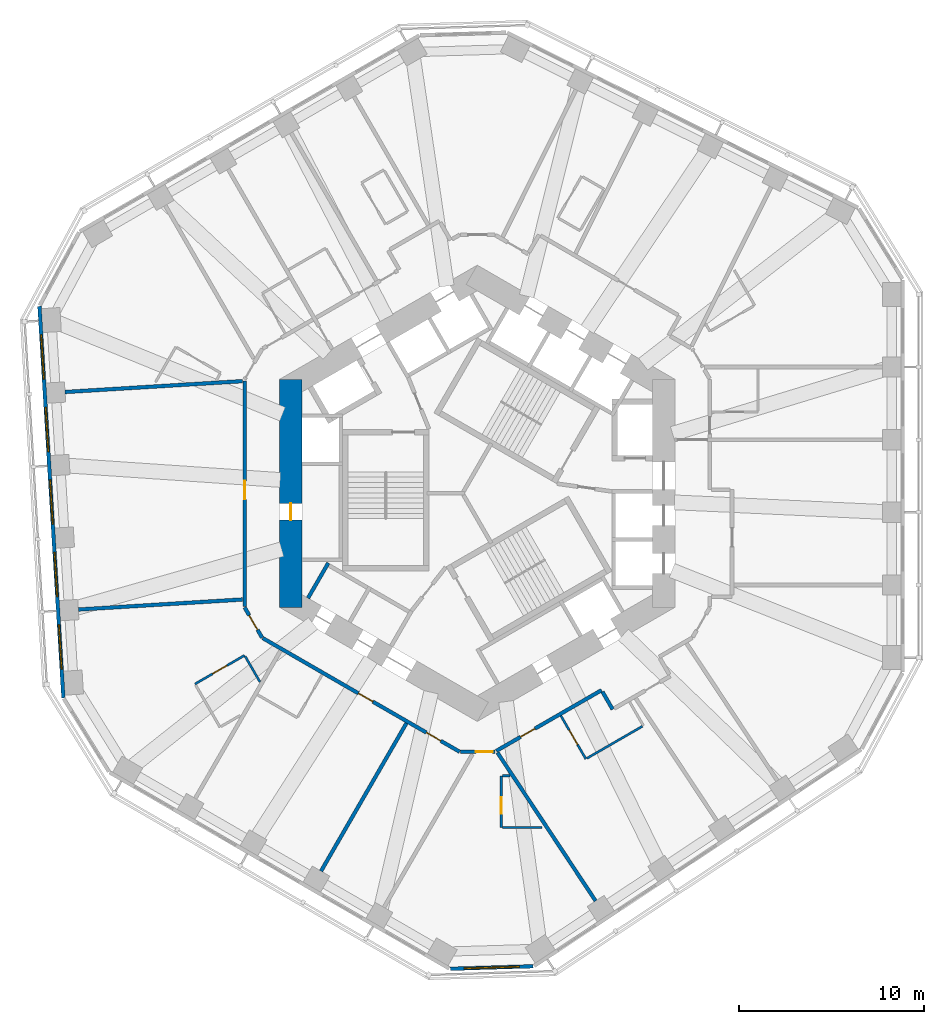
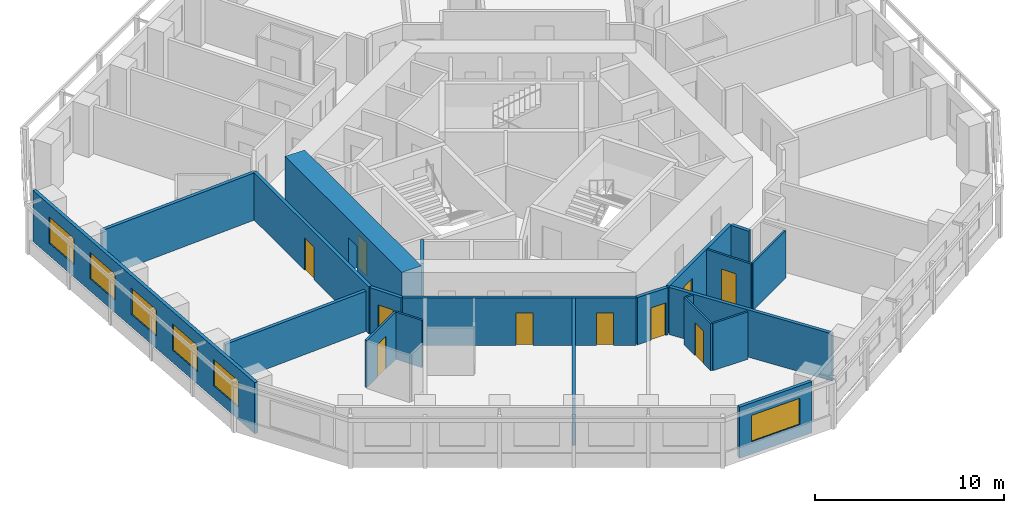
# One storey, part 4 of 12: 21 walls, 10 doors, 6 windows, 16 openings.
"""IFC4 building model written with IfcOpenShell, lengths in metres."""

from ifc_helpers import new_model, si_unit, direction, frame, frame_2d, origin, place, context, subcontext, project, spatial, rectangle, extrude, material, layer, layer_set, type_object, element, fill, save


model = new_model("IFC4")

# Units and contexts
model_context = context("Model", 3, precision=1e-05, world=origin(), true_north=direction((0.0, 1.0)))
body_context = subcontext(model_context, "Body", "Model", "MODEL_VIEW")
ifc_project = project(units=[si_unit("LENGTHUNIT", "METRE"), si_unit("AREAUNIT", "SQUARE_METRE"), si_unit("VOLUMEUNIT", "CUBIC_METRE"), si_unit("PLANEANGLEUNIT", "RADIAN"), si_unit("MASSUNIT", "GRAM", prefix="KILO")], contexts=[model_context])

# Site, building, storey
site_placement = place(None, origin())
site = spatial("IfcSite", under=ifc_project, at=site_placement, CompositionType="ELEMENT")
building_placement = place(site_placement, origin())
building = spatial("IfcBuilding", under=site, at=building_placement, Name="Vanh Sen Convention Tower", CompositionType="ELEMENT")
storey_placement = place(building_placement, frame((0.0, 0.0, 106.699951171875)))
storey = spatial("IfcBuildingStorey", under=building, at=storey_placement, Name="L25", CompositionType="ELEMENT", Elevation=106.699951171875)

# Wall, opening, door
ifc_material_1 = material(Name="Moisture-resistant gypsum board on steel studs", Category="steel")
ifc_layer_1 = layer(ifc_material_1, 0.1201171875)
ifc_layer_set_1 = layer_set([ifc_layer_1], Name="Moisture-resistant gypsum board on steel studs")
wall_type_1 = type_object("IfcWallType", Name="Bathroom partition 120", PredefinedType="PARTITIONING", material=ifc_layer_set_1)
wall_1_placement = place(storey_placement, frame((-15.285400390625, -10.326171875, 0.0), z_axis=(0.0, 0.0, 1.0), x_axis=(0.86600983753, 0.500026960575, 0.0)))
wall_1 = element("IfcWall", 1, at=wall_1_placement, inside=storey, type_object=wall_type_1, Name="Bathroom partition 120", PredefinedType="PARTITIONING", context=body_context, shape_type="SweptSolid", body=[
    extrude(rectangle(XDim=3.099853515625, YDim=0.1201171875, at=frame_2d((1.5498046875, 0.0))), origin(), (0.0, 0.0, 1.0), 3.050048828125),
])
opening_1_placement = place(wall_1_placement, frame((1.10009765625, 0.0, 0.0)))
opening_1 = element("IfcOpeningElement", 2, at=opening_1_placement, cuts=wall_1, Name="Opening D25120", PredefinedType="OPENING", context=body_context, shape_type="SweptSolid", body=[
    extrude(rectangle(XDim=0.89990234375, YDim=2.10009765625, at=frame_2d((0.449951171875, 1.050048828125))), frame((0.0, 0.070068359375, 0.0), z_axis=(0.0, -1.0, 0.0), x_axis=(1.0, 0.0, 0.0)), (0.0, 0.0, 1.0), 0.14013671875),
])
ifc_material_2 = material(Name="Laminate door in steel frame", Category="steel")
door_type_1 = type_object("IfcDoorType", Name="En-suite door 900", OperationType="SINGLE_SWING_LEFT", PredefinedType="DOOR", material=ifc_material_2)
door_1_placement = place(opening_1_placement, origin())
door_1 = element("IfcDoor", 3, at=door_1_placement, inside=storey, type_object=door_type_1, Name="En-suite door D25120", OperationType="SINGLE_SWING_LEFT", OverallHeight=2.10009765625, OverallWidth=0.89990234375, PredefinedType="DOOR", context=body_context, shape_type="SweptSolid", body=[
    extrude(rectangle(XDim=0.89990234375, YDim=2.10009765625, at=frame_2d((0.449951171875, 1.050048828125))), frame((0.0, 0.02490234375, 0.0), z_axis=(0.0, -1.0, 0.0), x_axis=(1.0, 0.0, 0.0)), (0.0, 0.0, 1.0), 0.050048828125),
])
fill(opening_1, door_1)

# Wall
wall_2_placement = place(storey_placement, frame((-12.57080078125, -8.828125, 0.0), z_axis=(0.0, 0.0, 1.0), x_axis=(0.499960029081, -0.866048479775, 0.0)))
element("IfcWall", 4, at=wall_2_placement, inside=storey, type_object=wall_type_1, Name="Bathroom partition 120", PredefinedType="PARTITIONING", context=body_context, shape_type="SweptSolid", body=[
    extrude(rectangle(XDim=1.601318359375, YDim=0.1201171875, at=frame_2d((0.80078125, 0.0))), origin(), (0.0, 0.0, 1.0), 3.050048828125),
])

# Wall, opening, door
wall_3_placement = place(storey_placement, frame((1.300048828125, -18.1005859375, 0.0), z_axis=(0.0, 0.0, 1.0), x_axis=(0.0, 1.0, 0.0)))
wall_3 = element("IfcWall", 5, at=wall_3_placement, inside=storey, type_object=wall_type_1, Name="Bathroom partition 120", PredefinedType="PARTITIONING", context=body_context, shape_type="SweptSolid", body=[
    extrude(rectangle(XDim=2.7998046875, YDim=0.1201171875, at=frame_2d((1.39990234375, 0.0))), origin(), (0.0, 0.0, 1.0), 3.050048828125),
])
opening_2_placement = place(wall_3_placement, frame((0.75, 0.0, 0.0)))
opening_2 = element("IfcOpeningElement", 6, at=opening_2_placement, cuts=wall_3, Name="Opening D25125", PredefinedType="OPENING", context=body_context, shape_type="SweptSolid", body=[
    extrude(rectangle(XDim=0.89990234375, YDim=2.10009765625, at=frame_2d((0.449951171875, 1.050048828125))), frame((0.0, 0.070068359375, 0.0), z_axis=(0.0, -1.0, 0.0), x_axis=(1.0, 0.0, 0.0)), (0.0, 0.0, 1.0), 0.14013671875),
])
door_2_placement = place(opening_2_placement, origin())
door_2 = element("IfcDoor", 7, at=door_2_placement, inside=storey, type_object=door_type_1, Name="En-suite door D25125", OperationType="SINGLE_SWING_LEFT", OverallHeight=2.10009765625, OverallWidth=0.89990234375, PredefinedType="DOOR", context=body_context, shape_type="SweptSolid", body=[
    extrude(rectangle(XDim=0.89990234375, YDim=2.10009765625, at=frame_2d((0.449951171875, 1.050048828125))), frame((0.0, 0.02490234375, 0.0), z_axis=(0.0, -1.0, 0.0), x_axis=(1.0, 0.0, 0.0)), (0.0, 0.0, 1.0), 0.050048828125),
])
fill(opening_2, door_2)

# Walls
wall_4_placement = place(storey_placement, frame((1.360107421875, -15.30078125, 0.0), z_axis=(0.0, 0.0, 1.0), x_axis=(1.0, 0.0, 0.0)))
element("IfcWall", 8, at=wall_4_placement, inside=storey, type_object=wall_type_1, Name="Bathroom partition 120", PredefinedType="PARTITIONING", context=body_context, shape_type="SweptSolid", body=[
    extrude(rectangle(XDim=0.415771484375, YDim=0.1201171875, at=frame_2d((0.2080078125, 0.0))), origin(), (0.0, 0.0, 1.0), 3.050048828125),
])
wall_5_placement = place(storey_placement, frame((3.5, -18.1005859375, 0.0), z_axis=(0.0, 0.0, 1.0), x_axis=(-1.0, 0.0, 0.0)))
element("IfcWall", 9, at=wall_5_placement, inside=storey, type_object=wall_type_1, Name="Bathroom partition 120", PredefinedType="PARTITIONING", context=body_context, shape_type="SweptSolid", body=[
    extrude(rectangle(XDim=2.139892578125, YDim=0.1201171875, at=frame_2d((1.06982421875, 0.0))), origin(), (0.0, 0.0, 1.0), 3.050048828125),
])

# Wall, opening, door
wall_6_placement = place(storey_placement, frame((5.880615234375, -14.38720703125, 0.0), z_axis=(0.0, 0.0, 1.0), x_axis=(-0.500048589285, 0.86599734893, 0.0)))
wall_6 = element("IfcWall", 10, at=wall_6_placement, inside=storey, type_object=wall_type_1, Name="Bathroom partition 120", PredefinedType="PARTITIONING", context=body_context, shape_type="SweptSolid", body=[
    extrude(rectangle(XDim=2.699951171875, YDim=0.1201171875, at=frame_2d((1.35009765625, 0.0))), origin(), (0.0, 0.0, 1.0), 3.050048828125),
])
opening_3_placement = place(wall_6_placement, frame((0.89990234375, 0.0, 0.0)))
opening_3 = element("IfcOpeningElement", 11, at=opening_3_placement, cuts=wall_6, Name="Opening D25127", PredefinedType="OPENING", context=body_context, shape_type="SweptSolid", body=[
    extrude(rectangle(XDim=0.89990234375, YDim=2.10009765625, at=frame_2d((0.449951171875, 1.050048828125))), frame((0.0, 0.070068359375, 0.0), z_axis=(0.0, -1.0, 0.0), x_axis=(1.0, 0.0, 0.0)), (0.0, 0.0, 1.0), 0.14013671875),
])
door_3_placement = place(opening_3_placement, origin())
door_3 = element("IfcDoor", 12, at=door_3_placement, inside=storey, type_object=door_type_1, Name="En-suite door D25127", OperationType="SINGLE_SWING_LEFT", OverallHeight=2.10009765625, OverallWidth=0.89990234375, PredefinedType="DOOR", context=body_context, shape_type="SweptSolid", body=[
    extrude(rectangle(XDim=0.89990234375, YDim=2.10009765625, at=frame_2d((0.449951171875, 1.050048828125))), frame((0.0, 0.02490234375, 0.0), z_axis=(0.0, -1.0, 0.0), x_axis=(1.0, 0.0, 0.0)), (0.0, 0.0, 1.0), 0.050048828125),
])
fill(opening_3, door_3)

# Wall
wall_7_placement = place(storey_placement, frame((8.9462890625, -12.6171875, 0.0), z_axis=(0.0, 0.0, 1.0), x_axis=(-0.865989304205, -0.500062521093, 0.0)))
element("IfcWall", 13, at=wall_7_placement, inside=storey, type_object=wall_type_1, Name="Bathroom partition 120", PredefinedType="PARTITIONING", context=body_context, shape_type="SweptSolid", body=[
    extrude(rectangle(XDim=3.47998046875, YDim=0.1201171875, at=frame_2d((1.739990234375, 0.0))), origin(), (0.0, 0.0, 1.0), 3.050048828125),
])

# Wall, opening, door
ifc_material_3 = material(Name="Concrete C80/95", Category="concrete")
ifc_layer_2 = layer(ifc_material_3, 1.199951171875)
ifc_layer_set_2 = layer_set([ifc_layer_2], Name="Concrete C80/95")
wall_type_2 = type_object("IfcWallType", Name="Core outer wall 1200 C80/95", PredefinedType="SHEAR", material=ifc_layer_set_2)
wall_8_placement = place(storey_placement, frame((-10.10009765625, 6.177490234375, 0.0), z_axis=(0.0, 0.0, 1.0), x_axis=(0.0, -1.0, 0.0)))
wall_8 = element("IfcWall", 14, at=wall_8_placement, inside=storey, type_object=wall_type_2, Name="Core wall face W L25", PredefinedType="SHEAR", context=body_context, shape_type="SweptSolid", body=[
    extrude(rectangle(XDim=12.35498046875, YDim=1.199951171875, at=frame_2d((6.177490234375, 0.0))), origin(), (0.0, 0.0, 1.0), 3.300048828125),
])
opening_4_placement = place(wall_8_placement, frame((6.7275390625, 0.0, 0.0)))
opening_4 = element("IfcOpeningElement", 15, at=opening_4_placement, cuts=wall_8, Name="Opening D25010", PredefinedType="OPENING", context=body_context, shape_type="SweptSolid", body=[
    extrude(rectangle(XDim=0.89990234375, YDim=2.10009765625, at=frame_2d((0.449951171875, 1.050048828125))), frame((0.0, 0.60986328125, 0.0), z_axis=(0.0, -1.0, 0.0), x_axis=(1.0, 0.0, 0.0)), (0.0, 0.0, 1.0), 1.219970703125),
])
ifc_material_4 = material(Name="Steel S355", Category="steel")
door_type_2 = type_object("IfcDoorType", Name="Plant door 900", OperationType="SINGLE_SWING_LEFT", PredefinedType="DOOR", material=ifc_material_4)
door_4_placement = place(opening_4_placement, origin())
door_4 = element("IfcDoor", 16, at=door_4_placement, inside=storey, type_object=door_type_2, Name="Plant door D25010", OperationType="SINGLE_SWING_LEFT", OverallHeight=2.10009765625, OverallWidth=0.89990234375, PredefinedType="DOOR", context=body_context, shape_type="SweptSolid", body=[
    extrude(rectangle(XDim=0.89990234375, YDim=2.10009765625, at=frame_2d((0.449951171875, 1.050048828125))), frame((0.0, 0.02490234375, 0.0), z_axis=(0.0, -1.0, 0.0), x_axis=(1.0, 0.0, 0.0)), (0.0, 0.0, 1.0), 0.050048828125),
])
fill(opening_4, door_4)

ifc_material_5 = material(Name="Gypsum board on steel studs with mineral wool", Category="steel")
ifc_layer_3 = layer(ifc_material_5, 0.199951171875)
ifc_layer_set_3 = layer_set([ifc_layer_3], Name="Gypsum board on steel studs with mineral wool")
wall_type_3 = type_object("IfcWallType", Name="Corridor partition wall 200", PredefinedType="PARTITIONING", material=ifc_layer_set_3)
wall_9_placement = place(storey_placement, frame((-12.60009765625, -6.177490234375, 0.0), z_axis=(0.0, 0.0, 1.0), x_axis=(0.500063520245, -0.865988727248, 0.0)))
wall_9 = element("IfcWall", 17, at=wall_9_placement, inside=storey, type_object=wall_type_3, Name="Corridor partition wall 200", PredefinedType="PARTITIONING", context=body_context, shape_type="SweptSolid", body=[
    extrude(rectangle(XDim=1.900146484375, YDim=0.199951171875, at=frame_2d((0.9501953125, 0.0))), origin(), (0.0, 0.0, 1.0), 3.050048828125),
])
opening_5_placement = place(wall_9_placement, frame((0.5, 0.0, 0.0)))
opening_5 = element("IfcOpeningElement", 18, at=opening_5_placement, cuts=wall_9, Name="Opening D25119", PredefinedType="OPENING", context=body_context, shape_type="SweptSolid", body=[
    extrude(rectangle(XDim=0.89990234375, YDim=2.10009765625, at=frame_2d((0.449951171875, 1.050048828125))), frame((0.0, 0.10986328125, 0.0), z_axis=(0.0, -1.0, 0.0), x_axis=(1.0, 0.0, 0.0)), (0.0, 0.0, 1.0), 0.219970703125),
])
ifc_material_6 = material(Name="Timber fire door in steel frame", Category="steel")
door_type_3 = type_object("IfcDoorType", Name="Guest room door 900", OperationType="SINGLE_SWING_LEFT", PredefinedType="DOOR", material=ifc_material_6)
door_5_placement = place(opening_5_placement, origin())
door_5 = element("IfcDoor", 19, at=door_5_placement, inside=storey, type_object=door_type_3, Name="Hotel guest room door D25119", OperationType="SINGLE_SWING_LEFT", OverallHeight=2.10009765625, OverallWidth=0.89990234375, PredefinedType="DOOR", context=body_context, shape_type="SweptSolid", body=[
    extrude(rectangle(XDim=0.89990234375, YDim=2.10009765625, at=frame_2d((0.449951171875, 1.050048828125))), frame((0.0, 0.02490234375, 0.0), z_axis=(0.0, -1.0, 0.0), x_axis=(1.0, 0.0, 0.0)), (0.0, 0.0, 1.0), 0.050048828125),
])
fill(opening_5, door_5)

wall_10_placement = place(storey_placement, frame((-12.60009765625, 6.081298828125, 0.0), z_axis=(0.0, 0.0, 1.0), x_axis=(0.0, -1.0, 0.0)))
wall_10 = element("IfcWall", 20, at=wall_10_placement, inside=storey, type_object=wall_type_3, Name="Corridor partition wall 200", PredefinedType="PARTITIONING", context=body_context, shape_type="SweptSolid", body=[
    extrude(rectangle(XDim=12.218994140625, YDim=0.199951171875, at=frame_2d((6.109375, 0.0))), origin(), (0.0, 0.0, 1.0), 3.050048828125),
])
opening_6_placement = place(wall_10_placement, frame((5.412841796875, 0.0, 0.0)))
opening_6 = element("IfcOpeningElement", 21, at=opening_6_placement, cuts=wall_10, Name="Opening D25118", PredefinedType="OPENING", context=body_context, shape_type="SweptSolid", body=[
    extrude(rectangle(XDim=1.0, YDim=2.10009765625, at=frame_2d((0.5, 1.050048828125))), frame((0.0, 0.10986328125, 0.0), z_axis=(0.0, -1.0, 0.0), x_axis=(1.0, 0.0, 0.0)), (0.0, 0.0, 1.0), 0.219970703125),
])
door_type_4 = type_object("IfcDoorType", Name="Floor room door 1000", OperationType="SINGLE_SWING_LEFT", PredefinedType="DOOR", material=ifc_material_6)
door_6_placement = place(opening_6_placement, origin())
door_6 = element("IfcDoor", 22, at=door_6_placement, inside=storey, type_object=door_type_4, Name="Meeting and amenity room door D25118", OperationType="SINGLE_SWING_LEFT", OverallHeight=2.10009765625, OverallWidth=1.0, PredefinedType="DOOR", context=body_context, shape_type="SweptSolid", body=[
    extrude(rectangle(XDim=1.0, YDim=2.10009765625, at=frame_2d((0.5, 1.050048828125))), frame((0.0, 0.02490234375, 0.0), z_axis=(0.0, -1.0, 0.0), x_axis=(1.0, 0.0, 0.0)), (0.0, 0.0, 1.0), 0.050048828125),
])
fill(opening_6, door_6)

# Wall, openings, doors
wall_11_placement = place(storey_placement, frame((-11.615478515625, -7.843017578125, 0.0), z_axis=(0.0, 0.0, 1.0), x_axis=(0.866026466995, -0.499998158461, 0.0)))
wall_11 = element("IfcWall", 23, at=wall_11_placement, inside=storey, type_object=wall_type_3, Name="Corridor partition wall 200", PredefinedType="PARTITIONING", context=body_context, shape_type="SweptSolid", body=[
    extrude(rectangle(XDim=12.3154296875, YDim=0.199951171875, at=frame_2d((6.15771484375, 0.0))), origin(), (0.0, 0.0, 1.0), 3.050048828125),
])
opening_7_placement = place(wall_11_placement, frame((5.982666015625, 0.0, 0.0)))
opening_7 = element("IfcOpeningElement", 24, at=opening_7_placement, cuts=wall_11, Name="Opening D25121", PredefinedType="OPENING", context=body_context, shape_type="SweptSolid", body=[
    extrude(rectangle(XDim=0.89990234375, YDim=2.10009765625, at=frame_2d((0.449951171875, 1.050048828125))), frame((0.0, 0.10986328125, 0.0), z_axis=(0.0, -1.0, 0.0), x_axis=(1.0, 0.0, 0.0)), (0.0, 0.0, 1.0), 0.219970703125),
])
opening_8_placement = place(wall_11_placement, frame((10.228759765625, 0.0, 0.0)))
opening_8 = element("IfcOpeningElement", 25, at=opening_8_placement, cuts=wall_11, Name="Opening D25123", PredefinedType="OPENING", context=body_context, shape_type="SweptSolid", body=[
    extrude(rectangle(XDim=0.89990234375, YDim=2.10009765625, at=frame_2d((0.449951171875, 1.050048828125))), frame((0.0, 0.10986328125, 0.0), z_axis=(0.0, -1.0, 0.0), x_axis=(1.0, 0.0, 0.0)), (0.0, 0.0, 1.0), 0.219970703125),
])
door_type_5 = type_object("IfcDoorType", Name="Floor service door 900", OperationType="SINGLE_SWING_LEFT", PredefinedType="DOOR", material=ifc_material_6)
door_7_placement = place(opening_8_placement, origin())
door_7 = element("IfcDoor", 26, at=door_7_placement, inside=storey, type_object=door_type_5, Name="Service room door D25123", OperationType="SINGLE_SWING_LEFT", OverallHeight=2.10009765625, OverallWidth=0.89990234375, PredefinedType="DOOR", context=body_context, shape_type="SweptSolid", body=[
    extrude(rectangle(XDim=0.89990234375, YDim=2.10009765625, at=frame_2d((0.449951171875, 1.050048828125))), frame((0.0, 0.02490234375, 0.0), z_axis=(0.0, -1.0, 0.0), x_axis=(1.0, 0.0, 0.0)), (0.0, 0.0, 1.0), 0.050048828125),
])
fill(opening_8, door_7)
door_8_placement = place(opening_7_placement, origin())
door_8 = element("IfcDoor", 27, at=door_8_placement, inside=storey, type_object=door_type_3, Name="Hotel guest room door D25121", OperationType="SINGLE_SWING_LEFT", OverallHeight=2.10009765625, OverallWidth=0.89990234375, PredefinedType="DOOR", context=body_context, shape_type="SweptSolid", body=[
    extrude(rectangle(XDim=0.89990234375, YDim=2.10009765625, at=frame_2d((0.449951171875, 1.050048828125))), frame((0.0, 0.02490234375, 0.0), z_axis=(0.0, -1.0, 0.0), x_axis=(1.0, 0.0, 0.0)), (0.0, 0.0, 1.0), 0.050048828125),
])
fill(opening_7, door_8)

# Wall, opening, door
wall_12_placement = place(storey_placement, frame((-0.909912109375, -14.000732421875, 0.0), z_axis=(0.0, 0.0, 1.0), x_axis=(1.0, 0.0, 0.0)))
wall_12 = element("IfcWall", 28, at=wall_12_placement, inside=storey, type_object=wall_type_3, Name="Corridor partition wall 200", PredefinedType="PARTITIONING", context=body_context, shape_type="SweptSolid", body=[
    extrude(rectangle(XDim=1.85986328125, YDim=0.199951171875, at=frame_2d((0.929931640625, 0.0))), origin(), (0.0, 0.0, 1.0), 3.050048828125),
])
opening_9_placement = place(wall_12_placement, frame((0.841796875, 0.0, 0.0)))
opening_9 = element("IfcOpeningElement", 29, at=opening_9_placement, cuts=wall_12, Name="Opening D25124", PredefinedType="OPENING", context=body_context, shape_type="SweptSolid", body=[
    extrude(rectangle(XDim=0.89990234375, YDim=2.10009765625, at=frame_2d((0.449951171875, 1.050048828125))), frame((0.0, 0.10986328125, 0.0), z_axis=(0.0, -1.0, 0.0), x_axis=(1.0, 0.0, 0.0)), (0.0, 0.0, 1.0), 0.219970703125),
])
door_9_placement = place(opening_9_placement, origin())
door_9 = element("IfcDoor", 30, at=door_9_placement, inside=storey, type_object=door_type_3, Name="Hotel guest room door D25124", OperationType="SINGLE_SWING_LEFT", OverallHeight=2.10009765625, OverallWidth=0.89990234375, PredefinedType="DOOR", context=body_context, shape_type="SweptSolid", body=[
    extrude(rectangle(XDim=0.89990234375, YDim=2.10009765625, at=frame_2d((0.449951171875, 1.050048828125))), frame((0.0, 0.02490234375, 0.0), z_axis=(0.0, -1.0, 0.0), x_axis=(1.0, 0.0, 0.0)), (0.0, 0.0, 1.0), 0.050048828125),
])
fill(opening_9, door_9)

wall_13_placement = place(storey_placement, frame((1.033447265625, -13.95263671875, 0.0), z_axis=(0.0, 0.0, 1.0), x_axis=(0.866017531406, 0.500013635111, 0.0)))
wall_13 = element("IfcWall", 31, at=wall_13_placement, inside=storey, type_object=wall_type_3, Name="Corridor partition wall 200", PredefinedType="PARTITIONING", context=body_context, shape_type="SweptSolid", body=[
    extrude(rectangle(XDim=6.580322265625, YDim=0.199951171875, at=frame_2d((3.2900390625, 0.0))), origin(), (0.0, 0.0, 1.0), 3.050048828125),
])
opening_10_placement = place(wall_13_placement, frame((1.51513671875, 0.0, 0.0)))
opening_10 = element("IfcOpeningElement", 32, at=opening_10_placement, cuts=wall_13, Name="Opening D25126", PredefinedType="OPENING", context=body_context, shape_type="SweptSolid", body=[
    extrude(rectangle(XDim=0.89990234375, YDim=2.10009765625, at=frame_2d((0.449951171875, 1.050048828125))), frame((0.0, 0.10986328125, 0.0), z_axis=(0.0, -1.0, 0.0), x_axis=(1.0, 0.0, 0.0)), (0.0, 0.0, 1.0), 0.219970703125),
])
door_10_placement = place(opening_10_placement, origin())
door_10 = element("IfcDoor", 33, at=door_10_placement, inside=storey, type_object=door_type_3, Name="Hotel guest room door D25126", OperationType="SINGLE_SWING_LEFT", OverallHeight=2.10009765625, OverallWidth=0.89990234375, PredefinedType="DOOR", context=body_context, shape_type="SweptSolid", body=[
    extrude(rectangle(XDim=0.89990234375, YDim=2.10009765625, at=frame_2d((0.449951171875, 1.050048828125))), frame((0.0, 0.02490234375, 0.0), z_axis=(0.0, -1.0, 0.0), x_axis=(1.0, 0.0, 0.0)), (0.0, 0.0, 1.0), 0.050048828125),
])
fill(opening_10, door_10)

# Wall
wall_14_placement = place(storey_placement, frame((6.781982421875, -10.7490234375, 0.0), z_axis=(0.0, 0.0, 1.0), x_axis=(0.500074377092, -0.865982457891, 0.0)))
element("IfcWall", 34, at=wall_14_placement, inside=storey, type_object=wall_type_3, Name="Corridor partition wall 200", PredefinedType="PARTITIONING", context=body_context, shape_type="SweptSolid", body=[
    extrude(rectangle(XDim=1.100830078125, YDim=0.199951171875, at=frame_2d((0.55029296875, 0.0))), origin(), (0.0, 0.0, 1.0), 3.050048828125),
])

# Wall, openings, windows
ifc_material_7 = material(Name="Insulated lightweight infill wall")
ifc_layer_4 = layer(ifc_material_7, 0.199951171875)
ifc_layer_set_4 = layer_set([ifc_layer_4], Name="Insulated lightweight infill wall")
wall_type_4 = type_object("IfcWallType", Name="External wall 200", PredefinedType="STANDARD", material=ifc_layer_set_4)
wall_15_placement = place(storey_placement, frame((-23.712646484375, 10.130859375, 0.0), z_axis=(0.0, 0.0, 1.0), x_axis=(0.061040439785, -0.998135293791, 0.0)))
wall_15 = element("IfcWall", 35, at=wall_15_placement, inside=storey, type_object=wall_type_4, Name="External wall W L25", PredefinedType="STANDARD", context=body_context, shape_type="SweptSolid", body=[
    extrude(rectangle(XDim=21.24609375, YDim=0.199951171875, at=frame_2d((10.623046875, 0.0))), origin(), (0.0, 0.0, 1.0), 3.300048828125),
])
opening_11_placement = place(wall_15_placement, frame((1.552978515625, 0.0, 0.800048828125)))
opening_11 = element("IfcOpeningElement", 36, at=opening_11_placement, cuts=wall_15, Name="Opening WH1-W1", PredefinedType="OPENING", context=body_context, shape_type="SweptSolid", body=[
    extrude(rectangle(XDim=2.39990234375, YDim=1.699951171875, at=frame_2d((1.199951171875, 0.85009765625))), frame((0.0, 0.10986328125, 0.0), z_axis=(0.0, -1.0, 0.0), x_axis=(1.0, 0.0, 0.0)), (0.0, 0.0, 1.0), 0.219970703125),
])
opening_12_placement = place(wall_15_placement, frame((5.48779296875, 0.0, 0.800048828125)))
opening_12 = element("IfcOpeningElement", 37, at=opening_12_placement, cuts=wall_15, Name="Opening WH1-W2", PredefinedType="OPENING", context=body_context, shape_type="SweptSolid", body=[
    extrude(rectangle(XDim=2.39990234375, YDim=1.699951171875, at=frame_2d((1.199951171875, 0.85009765625))), frame((0.0, 0.10986328125, 0.0), z_axis=(0.0, -1.0, 0.0), x_axis=(1.0, 0.0, 0.0)), (0.0, 0.0, 1.0), 0.219970703125),
])
opening_13_placement = place(wall_15_placement, frame((9.42236328125, 0.0, 0.800048828125)))
opening_13 = element("IfcOpeningElement", 38, at=opening_13_placement, cuts=wall_15, Name="Opening WH1-W3", PredefinedType="OPENING", context=body_context, shape_type="SweptSolid", body=[
    extrude(rectangle(XDim=2.39990234375, YDim=1.699951171875, at=frame_2d((1.199951171875, 0.85009765625))), frame((0.0, 0.10986328125, 0.0), z_axis=(0.0, -1.0, 0.0), x_axis=(1.0, 0.0, 0.0)), (0.0, 0.0, 1.0), 0.219970703125),
])
opening_14_placement = place(wall_15_placement, frame((13.35693359375, 0.0, 0.800048828125)))
opening_14 = element("IfcOpeningElement", 39, at=opening_14_placement, cuts=wall_15, Name="Opening WH1-W4", PredefinedType="OPENING", context=body_context, shape_type="SweptSolid", body=[
    extrude(rectangle(XDim=2.39990234375, YDim=1.699951171875, at=frame_2d((1.199951171875, 0.85009765625))), frame((0.0, 0.10986328125, 0.0), z_axis=(0.0, -1.0, 0.0), x_axis=(1.0, 0.0, 0.0)), (0.0, 0.0, 1.0), 0.219970703125),
])
opening_15_placement = place(wall_15_placement, frame((17.29150390625, 0.0, 0.800048828125)))
opening_15 = element("IfcOpeningElement", 40, at=opening_15_placement, cuts=wall_15, Name="Opening WH1-W5", PredefinedType="OPENING", context=body_context, shape_type="SweptSolid", body=[
    extrude(rectangle(XDim=2.39990234375, YDim=1.699951171875, at=frame_2d((1.199951171875, 0.85009765625))), frame((0.0, 0.10986328125, 0.0), z_axis=(0.0, -1.0, 0.0), x_axis=(1.0, 0.0, 0.0)), (0.0, 0.0, 1.0), 0.219970703125),
])
ifc_material_8 = material(Name="Aluminium frame with clear low-emissivity glass", Category="aluminium")
window_type_1 = type_object("IfcWindowType", Name="Hotel window 2400 x 1700", PartitioningType="SINGLE_PANEL", PredefinedType="WINDOW", material=ifc_material_8)
window_1_placement = place(opening_11_placement, origin())
window_1 = element("IfcWindow", 41, at=window_1_placement, inside=storey, type_object=window_type_1, Name="Window WH1-W1", OverallHeight=1.699951171875, OverallWidth=2.39990234375, PartitioningType="SINGLE_PANEL", PredefinedType="WINDOW", context=body_context, shape_type="SweptSolid", body=[
    extrude(rectangle(XDim=2.39990234375, YDim=1.699951171875, at=frame_2d((1.199951171875, 0.85009765625))), frame((0.0, 0.030029296875, 0.0), z_axis=(0.0, -1.0, 0.0), x_axis=(1.0, 0.0, 0.0)), (0.0, 0.0, 1.0), 0.06005859375),
])
fill(opening_11, window_1)
window_2_placement = place(opening_12_placement, origin())
window_2 = element("IfcWindow", 42, at=window_2_placement, inside=storey, type_object=window_type_1, Name="Window WH1-W2", OverallHeight=1.699951171875, OverallWidth=2.39990234375, PartitioningType="SINGLE_PANEL", PredefinedType="WINDOW", context=body_context, shape_type="SweptSolid", body=[
    extrude(rectangle(XDim=2.39990234375, YDim=1.699951171875, at=frame_2d((1.199951171875, 0.85009765625))), frame((0.0, 0.030029296875, 0.0), z_axis=(0.0, -1.0, 0.0), x_axis=(1.0, 0.0, 0.0)), (0.0, 0.0, 1.0), 0.06005859375),
])
fill(opening_12, window_2)
window_3_placement = place(opening_13_placement, origin())
window_3 = element("IfcWindow", 43, at=window_3_placement, inside=storey, type_object=window_type_1, Name="Window WH1-W3", OverallHeight=1.699951171875, OverallWidth=2.39990234375, PartitioningType="SINGLE_PANEL", PredefinedType="WINDOW", context=body_context, shape_type="SweptSolid", body=[
    extrude(rectangle(XDim=2.39990234375, YDim=1.699951171875, at=frame_2d((1.199951171875, 0.85009765625))), frame((0.0, 0.030029296875, 0.0), z_axis=(0.0, -1.0, 0.0), x_axis=(1.0, 0.0, 0.0)), (0.0, 0.0, 1.0), 0.06005859375),
])
fill(opening_13, window_3)
window_4_placement = place(opening_14_placement, origin())
window_4 = element("IfcWindow", 44, at=window_4_placement, inside=storey, type_object=window_type_1, Name="Window WH1-W4", OverallHeight=1.699951171875, OverallWidth=2.39990234375, PartitioningType="SINGLE_PANEL", PredefinedType="WINDOW", context=body_context, shape_type="SweptSolid", body=[
    extrude(rectangle(XDim=2.39990234375, YDim=1.699951171875, at=frame_2d((1.199951171875, 0.85009765625))), frame((0.0, 0.030029296875, 0.0), z_axis=(0.0, -1.0, 0.0), x_axis=(1.0, 0.0, 0.0)), (0.0, 0.0, 1.0), 0.06005859375),
])
fill(opening_14, window_4)
window_5_placement = place(opening_15_placement, origin())
window_5 = element("IfcWindow", 45, at=window_5_placement, inside=storey, type_object=window_type_1, Name="Window WH1-W5", OverallHeight=1.699951171875, OverallWidth=2.39990234375, PartitioningType="SINGLE_PANEL", PredefinedType="WINDOW", context=body_context, shape_type="SweptSolid", body=[
    extrude(rectangle(XDim=2.39990234375, YDim=1.699951171875, at=frame_2d((1.199951171875, 0.85009765625))), frame((0.0, 0.030029296875, 0.0), z_axis=(0.0, -1.0, 0.0), x_axis=(1.0, 0.0, 0.0)), (0.0, 0.0, 1.0), 0.06005859375),
])
fill(opening_15, window_5)

# Wall, opening, window
wall_16_placement = place(storey_placement, frame((-1.461181640625, -25.7548828125, 0.0), z_axis=(0.0, 0.0, 1.0), x_axis=(0.999533823446, 0.030530898895, 0.0)))
wall_16 = element("IfcWall", 46, at=wall_16_placement, inside=storey, type_object=wall_type_4, Name="External wall CH5 L25", PredefinedType="STANDARD", context=body_context, shape_type="SweptSolid", body=[
    extrude(rectangle(XDim=4.494140625, YDim=0.199951171875, at=frame_2d((2.2470703125, 0.0))), origin(), (0.0, 0.0, 1.0), 3.300048828125),
])
opening_16_placement = place(wall_16_placement, frame((0.7470703125, 0.0, 0.800048828125)))
opening_16 = element("IfcOpeningElement", 47, at=opening_16_placement, cuts=wall_16, Name="Opening WH2-CH51", PredefinedType="OPENING", context=body_context, shape_type="SweptSolid", body=[
    extrude(rectangle(XDim=3.0, YDim=1.699951171875, at=frame_2d((1.5, 0.85009765625))), frame((0.0, 0.10986328125, 0.0), z_axis=(0.0, -1.0, 0.0), x_axis=(1.0, 0.0, 0.0)), (0.0, 0.0, 1.0), 0.219970703125),
])
window_type_2 = type_object("IfcWindowType", Name="Hotel window 3000 x 1700", PartitioningType="SINGLE_PANEL", PredefinedType="WINDOW", material=ifc_material_8)
window_6_placement = place(opening_16_placement, origin())
window_6 = element("IfcWindow", 48, at=window_6_placement, inside=storey, type_object=window_type_2, Name="Window WH2-CH51", OverallHeight=1.699951171875, OverallWidth=3.0, PartitioningType="SINGLE_PANEL", PredefinedType="WINDOW", context=body_context, shape_type="SweptSolid", body=[
    extrude(rectangle(XDim=3.0, YDim=1.699951171875, at=frame_2d((1.5, 0.85009765625))), frame((0.0, 0.030029296875, 0.0), z_axis=(0.0, -1.0, 0.0), x_axis=(1.0, 0.0, 0.0)), (0.0, 0.0, 1.0), 0.06005859375),
])
fill(opening_16, window_6)

# Walls
ifc_layer_5 = layer(ifc_material_5, 0.199951171875)
ifc_layer_set_5 = layer_set([ifc_layer_5], Name="Gypsum board on steel studs with mineral wool")
wall_type_5 = type_object("IfcWallType", Name="Hotel party wall 200", PredefinedType="PARTITIONING", material=ifc_layer_set_5)
wall_17_placement = place(storey_placement, frame((-22.32666015625, 5.486328125, 0.0), z_axis=(0.0, 0.0, 1.0), x_axis=(0.998135194863, 0.061042057435, 0.0)))
element("IfcWall", 49, at=wall_17_placement, inside=storey, type_object=wall_type_5, Name="Hotel party wall 200", PredefinedType="PARTITIONING", context=body_context, shape_type="SweptSolid", body=[
    extrude(rectangle(XDim=9.635009765625, YDim=0.199951171875, at=frame_2d((4.8173828125, 0.0))), origin(), (0.0, 0.0, 1.0), 3.050048828125),
])
wall_18_placement = place(storey_placement, frame((-21.60595703125, -6.29541015625, 0.0), z_axis=(0.0, 0.0, 1.0), x_axis=(0.998134305525, 0.061056597794, 0.0)))
element("IfcWall", 50, at=wall_18_placement, inside=storey, type_object=wall_type_5, Name="Hotel party wall 200", PredefinedType="PARTITIONING", context=body_context, shape_type="SweptSolid", body=[
    extrude(rectangle(XDim=8.912841796875, YDim=0.199951171875, at=frame_2d((4.45654296875, 0.0))), origin(), (0.0, 0.0, 1.0), 2.60009765625),
])
wall_19_placement = place(storey_placement, frame((-8.459716796875, -20.46142578125, 0.0), z_axis=(0.0, 0.0, 1.0), x_axis=(0.499999662836, 0.866025598446, 0.0)))
element("IfcWall", 51, at=wall_19_placement, inside=storey, type_object=wall_type_5, Name="Hotel party wall 200", PredefinedType="PARTITIONING", context=body_context, shape_type="SweptSolid", body=[
    extrude(rectangle(XDim=9.25, YDim=0.199951171875, at=frame_2d((4.625, 0.0))), origin(), (0.0, 0.0, 1.0), 3.050048828125),
])
wall_20_placement = place(storey_placement, frame((6.411865234375, -22.07861328125, 0.0), z_axis=(0.0, 0.0, 1.0), x_axis=(-0.551919507115, 0.83389739037, 0.0)))
element("IfcWall", 52, at=wall_20_placement, inside=storey, type_object=wall_type_5, Name="Hotel party wall 200", PredefinedType="PARTITIONING", context=body_context, shape_type="SweptSolid", body=[
    extrude(rectangle(XDim=9.634765625, YDim=0.199951171875, at=frame_2d((4.8173828125, 0.0))), origin(), (0.0, 0.0, 1.0), 3.050048828125),
])
ifc_material_9 = material(Name="Concrete C40/50", Category="concrete")
ifc_layer_6 = layer(ifc_material_9, 0.199951171875)
ifc_layer_set_6 = layer_set([ifc_layer_6], Name="Concrete C40/50")
wall_type_6 = type_object("IfcWallType", Name="Lift shaft wall 200", PredefinedType="PARTITIONING", material=ifc_layer_set_6)
wall_21_placement = place(storey_placement, frame((-8.066650390625, -3.77197265625, 0.0), z_axis=(0.0, 0.0, 1.0), x_axis=(-0.50002983664, -0.866008176907, 0.0)))
element("IfcWall", 53, at=wall_21_placement, inside=storey, type_object=wall_type_6, Name="Lift shaft wall L25", PredefinedType="PARTITIONING", context=body_context, shape_type="SweptSolid", body=[
    extrude(rectangle(XDim=2.199951171875, YDim=0.199951171875, at=frame_2d((1.10009765625, 0.0))), origin(), (0.0, 0.0, 1.0), 3.050048828125),
])

save(model, "model.ifc")
